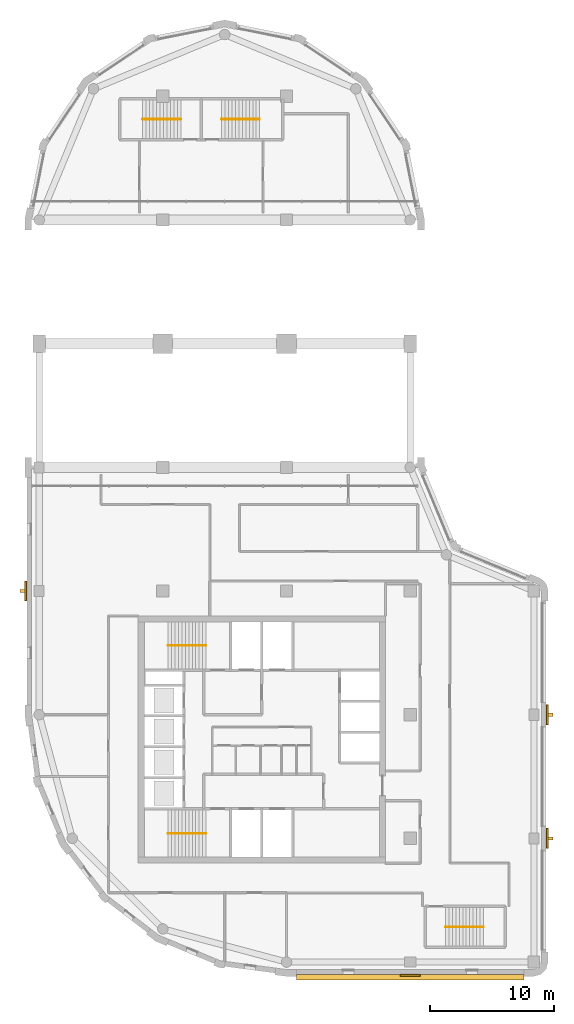
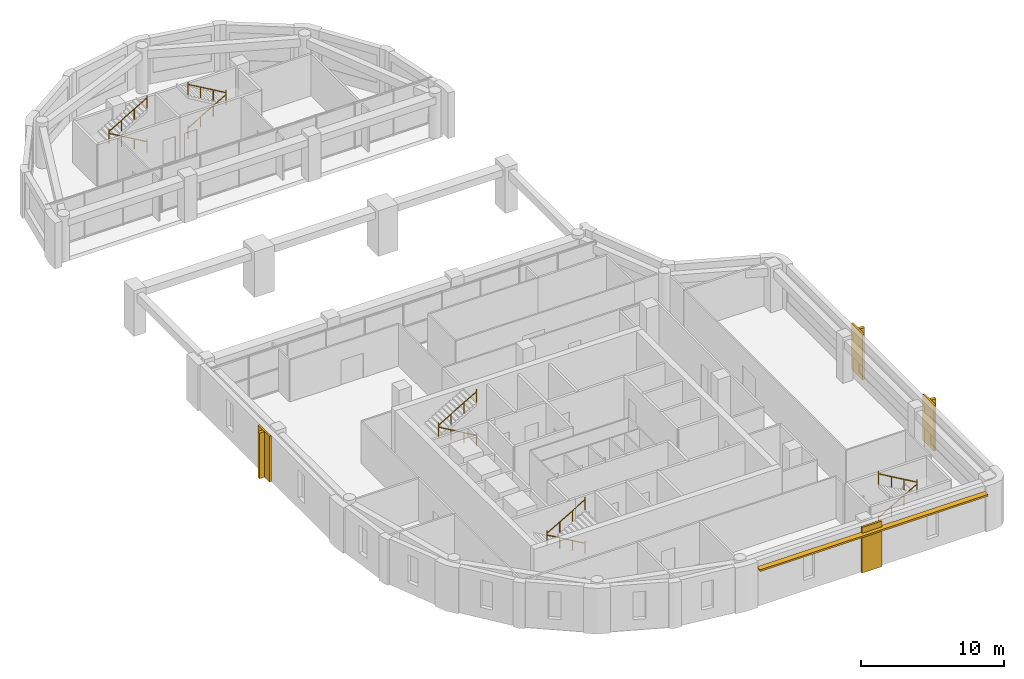
# One storey, part 10 of 11: 10 railings, 4 coverings, 4 shading devices.
"""IFC4 building model written with IfcOpenShell, lengths in metres."""

from ifc_helpers import new_model, si_unit, direction, frame, origin, origin_2d, place, context, subcontext, project, spatial, polyline, rectangle, circle, outline, extrude, material, layer, layer_set, type_object, element, save


model = new_model("IFC4")

# Units and contexts
model_context = context("Model", 3, precision=1e-05, world=origin(), true_north=direction((0.0, 1.0)))
body_context = subcontext(model_context, "Body", "Model", "MODEL_VIEW")
ifc_project = project(units=[si_unit("LENGTHUNIT", "METRE"), si_unit("AREAUNIT", "SQUARE_METRE"), si_unit("VOLUMEUNIT", "CUBIC_METRE"), si_unit("PLANEANGLEUNIT", "RADIAN"), si_unit("MASSUNIT", "GRAM", prefix="KILO")], contexts=[model_context])

# Site, building, storey
site_placement = place(None, origin())
site = spatial("IfcSite", under=ifc_project, at=site_placement, CompositionType="ELEMENT")
building_placement = place(site_placement, origin())
building = spatial("IfcBuilding", under=site, at=building_placement, Name="Qaws Garden Tower", CompositionType="ELEMENT")
storey_placement = place(building_placement, frame((0.0, 0.0, 325.5)))
storey = spatial("IfcBuildingStorey", under=building, at=storey_placement, Name="L79", CompositionType="ELEMENT", Elevation=325.5)

# Coverings
ifc_material_1 = material(Name="Clay facing brick masonry", Category="masonry")
ifc_layer_1 = layer(ifc_material_1, 0.14990234375)
ifc_layer_set_1 = layer_set([ifc_layer_1], Name="Clay facing brick masonry")
covering_type = type_object("IfcCoveringType", Name="Brick pilaster facing 150 x 1600", PredefinedType="CLADDING", material=ifc_layer_set_1)
placement = place(storey_placement, origin())
element("IfcCovering", 1, at=placement, inside=storey, type_object=covering_type, Name="E-L79-pier-01", PredefinedType="CLADDING", context=body_context, shape_type="SweptSolid", body=[
    extrude(outline(polyline([(29.199951171875, -1.0), (30.800048828125, -1.0), (30.800048828125, -1.14990234375), (29.199951171875, -1.14990234375), (29.199951171875, -1.0)])), origin(), (0.0, 0.0, 1.0), 3.89990234375),
])
element("IfcCovering", 2, at=placement, inside=storey, type_object=covering_type, Name="E-L79-pier-03", PredefinedType="CLADDING", context=body_context, shape_type="SweptSolid", body=[
    extrude(outline(polyline([(41.0, 9.199951171875), (41.0, 10.800048828125), (41.14990234375, 10.800048828125), (41.14990234375, 9.199951171875), (41.0, 9.199951171875)])), origin(), (0.0, 0.0, 1.0), 3.89990234375),
])
element("IfcCovering", 3, at=placement, inside=storey, type_object=covering_type, Name="E-L79-pier-04", PredefinedType="CLADDING", context=body_context, shape_type="SweptSolid", body=[
    extrude(outline(polyline([(41.0, 19.199951171875), (41.0, 20.800048828125), (41.14990234375, 20.800048828125), (41.14990234375, 19.199951171875), (41.0, 19.199951171875)])), origin(), (0.0, 0.0, 1.0), 3.89990234375),
])
element("IfcCovering", 4, at=placement, inside=storey, type_object=covering_type, Name="E-L79-pier-20", PredefinedType="CLADDING", context=body_context, shape_type="SweptSolid", body=[
    extrude(outline(polyline([(-1.0, 30.800048828125), (-1.0, 29.199951171875), (-1.14990234375, 29.199951171875), (-1.14990234375, 30.800048828125), (-1.0, 30.800048828125)])), origin(), (0.0, 0.0, 1.0), 3.89990234375),
])

# Shading devices
ifc_material_2 = material(Name="Clay facing brick masonry", Category="masonry")
ifc_layer_2 = layer(ifc_material_2, 0.14990234375)
ifc_layer_set_2 = layer_set([ifc_layer_2], Name="Clay facing brick masonry")
shading_device_type_1 = type_object("IfcShadingDeviceType", Name="Brick sunshade band 450 x 150", PredefinedType="JALOUSIE", material=ifc_layer_set_2)
shading_device_placement = place(storey_placement, frame((0.0, 0.0, 3.25)))
element("IfcShadingDevice", 5, at=shading_device_placement, inside=storey, type_object=shading_device_type_1, Name="SUNSHADE 00", PredefinedType="JALOUSIE", context=body_context, shape_type="SweptSolid", body=[
    extrude(outline(polyline([(20.800048828125, -1.0), (20.800048828125, -1.449951171875), (39.199951171875, -1.449951171875), (39.199951171875, -1.0), (30.800048828125, -1.0), (30.800048828125, -1.14990234375), (29.199951171875, -1.14990234375), (29.199951171875, -1.0), (20.800048828125, -1.0)])), origin(), (0.0, 0.0, 1.0), 0.14990234375),
])
ifc_material_3 = material(Name="Clay facing brick masonry", Category="masonry")
ifc_layer_3 = layer(ifc_material_3, 0.25)
ifc_layer_set_3 = layer_set([ifc_layer_3], Name="Clay facing brick masonry")
shading_device_type_2 = type_object("IfcShadingDeviceType", Name="Brick-faced fin 250 x 400", PredefinedType="USERDEFINED", material=ifc_layer_set_3)
for number, where, z_axis, x_axis, name in (
    (6, (41.35009765625, 10.0, 0.0), (0.0, 0.0, 1.0), (0.0, 1.0, 0.0), "FIN 03"),
    (7, (41.35009765625, 20.0, 0.0), (0.0, 0.0, 1.0), (0.0, 1.0, 0.0), "FIN 04"),
    (8, (-1.35009765625, 30.0, 0.0), (0.0, 0.0, 1.0), (0.0, -1.0, 0.0), "FIN 20"),
):
    element("IfcShadingDevice", number, at=place(storey_placement, frame(where, z_axis=z_axis, x_axis=x_axis)), inside=storey, type_object=shading_device_type_2, Name=name, ObjectType="FIN", PredefinedType="USERDEFINED", context=body_context, shape_type="SweptSolid", body=[
        extrude(rectangle(XDim=0.25, YDim=0.39990234375, at=origin_2d()), origin(), (0.0, 0.0, 1.0), 3.89990234375),
    ])

# Railings
ifc_material_4 = material(Name="Steel S355", Category="steel")
railing_type = type_object("IfcRailingType", Name="Stair handrail 900", PredefinedType="HANDRAIL", material=ifc_material_4)
railing_1_placement = place(storey_placement, frame((13.5, 10.39990234375, 0.16259765625)))
element("IfcRailing", 9, at=railing_1_placement, inside=storey, type_object=railing_type, Name="Stair 1 handrail", PredefinedType="HANDRAIL", context=body_context, shape_type="SweptSolid", body=[
    extrude(circle(Radius=0.02392578125, at=origin_2d()), frame((0.0, 0.0, 0.8759765625), z_axis=(-0.864920483161, 0.0, 0.501908913857), x_axis=(0.0, -1.0, 0.0)), (0.0, 0.0, 1.0), 3.56103515625),
    extrude(circle(Radius=0.02099609375, at=origin_2d()), origin(), (0.0, 0.0, 1.0), 1.06201171875),
    extrude(circle(Radius=0.02099609375, at=origin_2d()), frame((-1.026611328125, 0.0, 0.595703125)), (0.0, 0.0, 1.0), 0.851806640625),
    extrude(circle(Radius=0.02099609375, at=origin_2d()), frame((-2.053466796875, 0.0, 1.191650390625)), (0.0, 0.0, 1.0), 0.851806640625),
    extrude(circle(Radius=0.02099609375, at=origin_2d()), frame((-3.080078125, 0.0, 1.787353515625)), (0.0, 0.0, 1.0), 1.06201171875),
])
railing_2_placement = place(storey_placement, frame((10.419921875, 10.39990234375, 2.112548828125)))
element("IfcRailing", 10, at=railing_2_placement, inside=storey, type_object=railing_type, Name="Stair 1 handrail", PredefinedType="HANDRAIL", context=body_context, shape_type="SweptSolid", body=[
    extrude(circle(Radius=0.02392578125, at=origin_2d()), frame((0.0, 0.0, 0.8759765625), z_axis=(0.864920483161, 0.0, 0.501908913857), x_axis=(0.0, 1.0, 0.0)), (0.0, 0.0, 1.0), 3.56103515625),
    extrude(circle(Radius=0.02099609375, at=origin_2d()), origin(), (0.0, 0.0, 1.0), 1.06201171875),
    extrude(circle(Radius=0.02099609375, at=origin_2d()), frame((1.026611328125, 0.0, 0.595703125)), (0.0, 0.0, 1.0), 0.851806640625),
    extrude(circle(Radius=0.02099609375, at=origin_2d()), frame((2.053466796875, 0.0, 1.191650390625)), (0.0, 0.0, 1.0), 0.851806640625),
    extrude(circle(Radius=0.02099609375, at=origin_2d()), frame((3.080078125, 0.0, 1.787353515625)), (0.0, 0.0, 1.0), 1.06201171875),
])
railing_3_placement = place(storey_placement, frame((13.5, 25.60009765625, 0.16259765625)))
element("IfcRailing", 11, at=railing_3_placement, inside=storey, type_object=railing_type, Name="Stair 4 handrail", PredefinedType="HANDRAIL", context=body_context, shape_type="SweptSolid", body=[
    extrude(circle(Radius=0.02392578125, at=origin_2d()), frame((0.0, 0.0, 0.8759765625), z_axis=(-0.864920483161, 0.0, 0.501908913857), x_axis=(0.0, -1.0, 0.0)), (0.0, 0.0, 1.0), 3.56103515625),
    extrude(circle(Radius=0.02099609375, at=origin_2d()), origin(), (0.0, 0.0, 1.0), 1.06201171875),
    extrude(circle(Radius=0.02099609375, at=origin_2d()), frame((-1.026611328125, 0.0, 0.595703125)), (0.0, 0.0, 1.0), 0.851806640625),
    extrude(circle(Radius=0.02099609375, at=origin_2d()), frame((-2.053466796875, 0.0, 1.191650390625)), (0.0, 0.0, 1.0), 0.851806640625),
    extrude(circle(Radius=0.02099609375, at=origin_2d()), frame((-3.080078125, 0.0, 1.787353515625)), (0.0, 0.0, 1.0), 1.06201171875),
])
railing_4_placement = place(storey_placement, frame((10.419921875, 25.60009765625, 2.112548828125)))
element("IfcRailing", 12, at=railing_4_placement, inside=storey, type_object=railing_type, Name="Stair 4 handrail", PredefinedType="HANDRAIL", context=body_context, shape_type="SweptSolid", body=[
    extrude(circle(Radius=0.02392578125, at=origin_2d()), frame((0.0, 0.0, 0.8759765625), z_axis=(0.864920483161, 0.0, 0.501908913857), x_axis=(0.0, 1.0, 0.0)), (0.0, 0.0, 1.0), 3.56103515625),
    extrude(circle(Radius=0.02099609375, at=origin_2d()), origin(), (0.0, 0.0, 1.0), 1.06201171875),
    extrude(circle(Radius=0.02099609375, at=origin_2d()), frame((1.026611328125, 0.0, 0.595703125)), (0.0, 0.0, 1.0), 0.851806640625),
    extrude(circle(Radius=0.02099609375, at=origin_2d()), frame((2.053466796875, 0.0, 1.191650390625)), (0.0, 0.0, 1.0), 0.851806640625),
    extrude(circle(Radius=0.02099609375, at=origin_2d()), frame((3.080078125, 0.0, 1.787353515625)), (0.0, 0.0, 1.0), 1.06201171875),
])
railing_5_placement = place(storey_placement, frame((32.85009765625, 2.85009765625, 0.16259765625)))
element("IfcRailing", 13, at=railing_5_placement, inside=storey, type_object=railing_type, Name="Stair 5 handrail", PredefinedType="HANDRAIL", context=body_context, shape_type="SweptSolid", body=[
    extrude(circle(Radius=0.02392578125, at=origin_2d()), frame((0.0, 0.0, 0.8759765625), z_axis=(0.864903211148, 0.0, 0.501938676878), x_axis=(0.0, 1.0, 0.0)), (0.0, 0.0, 1.0), 3.560791015625),
    extrude(circle(Radius=0.02099609375, at=origin_2d()), origin(), (0.0, 0.0, 1.0), 1.06201171875),
    extrude(circle(Radius=0.02099609375, at=origin_2d()), frame((1.026611328125, 0.0, 0.595703125)), (0.0, 0.0, 1.0), 0.851806640625),
    extrude(circle(Radius=0.02099609375, at=origin_2d()), frame((2.05322265625, 0.0, 1.191650390625)), (0.0, 0.0, 1.0), 0.851806640625),
    extrude(circle(Radius=0.02099609375, at=origin_2d()), frame((3.079833984375, 0.0, 1.787353515625)), (0.0, 0.0, 1.0), 1.06201171875),
])
for number, where, name in (
    (14, (35.929931640625, 2.85009765625, 2.112548828125), "Stair 5 handrail"),
    (15, (11.449951171875, 68.14990234375, 0.16259765625), "Stair 6 handrail"),
):
    element("IfcRailing", number, at=place(storey_placement, frame(where)), inside=storey, type_object=railing_type, Name=name, PredefinedType="HANDRAIL", context=body_context, shape_type="SweptSolid", body=[
        extrude(circle(Radius=0.02392578125, at=origin_2d()), frame((0.0, 0.0, 0.8759765625), z_axis=(-0.864903211148, 0.0, 0.501938676878), x_axis=(0.0, -1.0, 0.0)), (0.0, 0.0, 1.0), 3.560791015625),
        extrude(circle(Radius=0.02099609375, at=origin_2d()), origin(), (0.0, 0.0, 1.0), 1.06201171875),
        extrude(circle(Radius=0.02099609375, at=origin_2d()), frame((-1.026611328125, 0.0, 0.595703125)), (0.0, 0.0, 1.0), 0.851806640625),
        extrude(circle(Radius=0.02099609375, at=origin_2d()), frame((-2.05322265625, 0.0, 1.191650390625)), (0.0, 0.0, 1.0), 0.851806640625),
        extrude(circle(Radius=0.02099609375, at=origin_2d()), frame((-3.079833984375, 0.0, 1.787353515625)), (0.0, 0.0, 1.0), 1.06201171875),
    ])
railing_6_placement = place(storey_placement, frame((8.3701171875, 68.14990234375, 2.112548828125)))
element("IfcRailing", 16, at=railing_6_placement, inside=storey, type_object=railing_type, Name="Stair 6 handrail", PredefinedType="HANDRAIL", context=body_context, shape_type="SweptSolid", body=[
    extrude(circle(Radius=0.02392578125, at=origin_2d()), frame((0.0, 0.0, 0.8759765625), z_axis=(0.864903211148, 0.0, 0.501938676878), x_axis=(0.0, 1.0, 0.0)), (0.0, 0.0, 1.0), 3.560791015625),
    extrude(circle(Radius=0.02099609375, at=origin_2d()), origin(), (0.0, 0.0, 1.0), 1.06201171875),
    extrude(circle(Radius=0.02099609375, at=origin_2d()), frame((1.026611328125, 0.0, 0.595703125)), (0.0, 0.0, 1.0), 0.851806640625),
    extrude(circle(Radius=0.02099609375, at=origin_2d()), frame((2.05322265625, 0.0, 1.191650390625)), (0.0, 0.0, 1.0), 0.851806640625),
    extrude(circle(Radius=0.02099609375, at=origin_2d()), frame((3.079833984375, 0.0, 1.787353515625)), (0.0, 0.0, 1.0), 1.06201171875),
])
railing_7_placement = place(storey_placement, frame((14.75, 68.14990234375, 0.16259765625)))
element("IfcRailing", 17, at=railing_7_placement, inside=storey, type_object=railing_type, Name="Stair 7 handrail", PredefinedType="HANDRAIL", context=body_context, shape_type="SweptSolid", body=[
    extrude(circle(Radius=0.02392578125, at=origin_2d()), frame((0.0, 0.0, 0.8759765625), z_axis=(0.864920483161, 0.0, 0.501908913857), x_axis=(0.0, 1.0, 0.0)), (0.0, 0.0, 1.0), 3.56103515625),
    extrude(circle(Radius=0.02099609375, at=origin_2d()), origin(), (0.0, 0.0, 1.0), 1.06201171875),
    extrude(circle(Radius=0.02099609375, at=origin_2d()), frame((1.026611328125, 0.0, 0.595703125)), (0.0, 0.0, 1.0), 0.851806640625),
    extrude(circle(Radius=0.02099609375, at=origin_2d()), frame((2.053466796875, 0.0, 1.191650390625)), (0.0, 0.0, 1.0), 0.851806640625),
    extrude(circle(Radius=0.02099609375, at=origin_2d()), frame((3.080078125, 0.0, 1.787353515625)), (0.0, 0.0, 1.0), 1.06201171875),
])
railing_8_placement = place(storey_placement, frame((17.830078125, 68.14990234375, 2.112548828125)))
element("IfcRailing", 18, at=railing_8_placement, inside=storey, type_object=railing_type, Name="Stair 7 handrail", PredefinedType="HANDRAIL", context=body_context, shape_type="SweptSolid", body=[
    extrude(circle(Radius=0.02392578125, at=origin_2d()), frame((0.0, 0.0, 0.8759765625), z_axis=(-0.864920483161, 0.0, 0.501908913857), x_axis=(0.0, -1.0, 0.0)), (0.0, 0.0, 1.0), 3.56103515625),
    extrude(circle(Radius=0.02099609375, at=origin_2d()), origin(), (0.0, 0.0, 1.0), 1.06201171875),
    extrude(circle(Radius=0.02099609375, at=origin_2d()), frame((-1.026611328125, 0.0, 0.595703125)), (0.0, 0.0, 1.0), 0.851806640625),
    extrude(circle(Radius=0.02099609375, at=origin_2d()), frame((-2.053466796875, 0.0, 1.191650390625)), (0.0, 0.0, 1.0), 0.851806640625),
    extrude(circle(Radius=0.02099609375, at=origin_2d()), frame((-3.080078125, 0.0, 1.787353515625)), (0.0, 0.0, 1.0), 1.06201171875),
])

save(model, "model.ifc")
